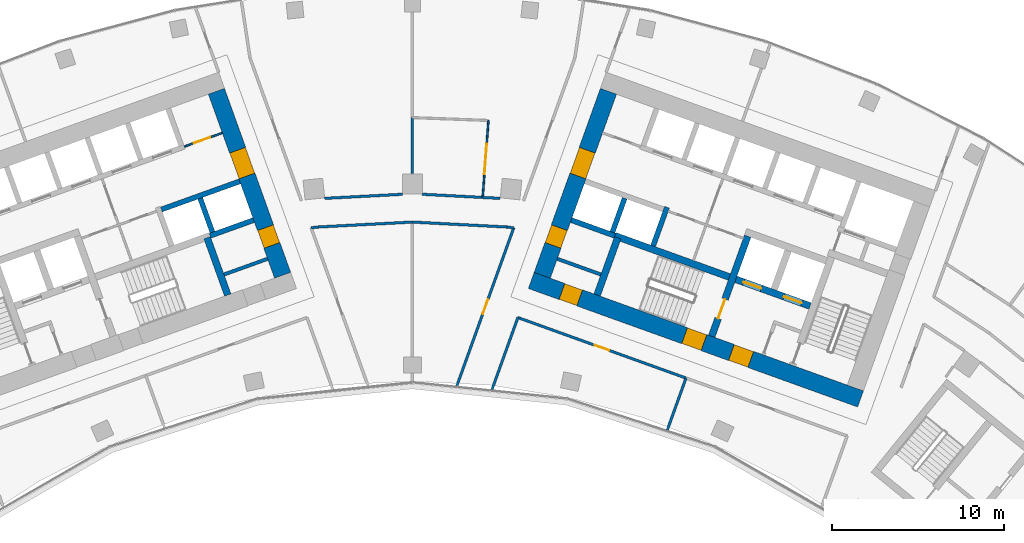
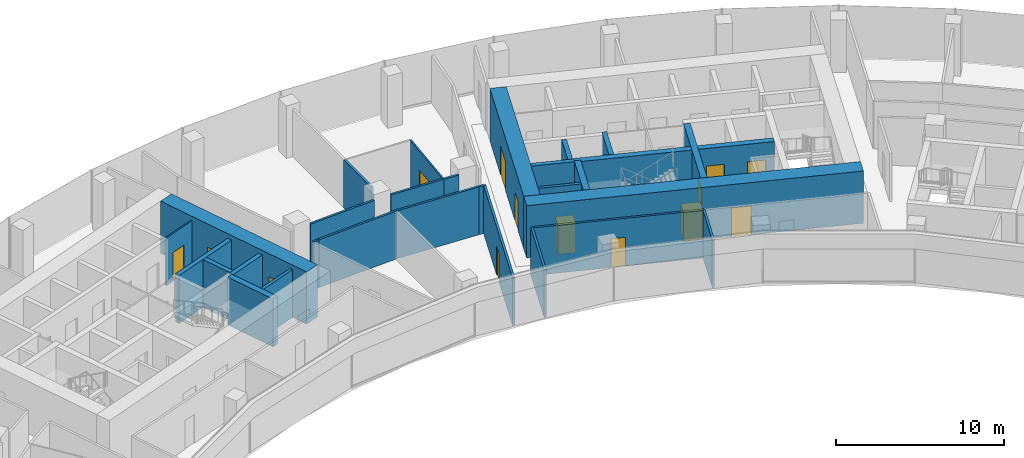
# One storey, part 14 of 20: 29 walls, 14 doors, 14 openings.
"""IFC4 building model written with IfcOpenShell, lengths in metres."""

from ifc_helpers import new_model, si_unit, direction, frame, frame_2d, origin, place, context, subcontext, project, spatial, rectangle, extrude, material, layer, layer_set, type_object, element, fill, save


model = new_model("IFC4")

# Units and contexts
model_context = context("Model", 3, precision=1e-05, world=origin(), true_north=direction((0.0, 1.0)))
body_context = subcontext(model_context, "Body", "Model", "MODEL_VIEW")
ifc_project = project(units=[si_unit("LENGTHUNIT", "METRE"), si_unit("AREAUNIT", "SQUARE_METRE"), si_unit("VOLUMEUNIT", "CUBIC_METRE"), si_unit("PLANEANGLEUNIT", "RADIAN"), si_unit("MASSUNIT", "GRAM", prefix="KILO")], contexts=[model_context])

# Site, building, storey
site_placement = place(None, origin())
site = spatial("IfcSite", under=ifc_project, at=site_placement, CompositionType="ELEMENT")
building_placement = place(site_placement, origin())
building = spatial("IfcBuilding", under=site, at=building_placement, Name="Stone Belt Terrace Tower", CompositionType="ELEMENT")
storey_placement = place(building_placement, frame((0.0, 0.0, 216.199951171875)))
storey = spatial("IfcBuildingStorey", under=building, at=storey_placement, Name="L52", CompositionType="ELEMENT", Elevation=216.199951171875)

# Wall, opening, door
ifc_material_1 = material(Name="Plasterboard partition")
ifc_layer_1 = layer(ifc_material_1, 0.10009765625)
ifc_layer_set_1 = layer_set([ifc_layer_1], Name="Core partition 100")
wall_type_1 = type_object("IfcWallType", Name="Core partition 100", PredefinedType="PARTITIONING", material=ifc_layer_set_1)
wall_1_placement = place(storey_placement, frame((-13.29638671875, 57.17529296875, 0.0), z_axis=(0.0, 0.0, 1.0), x_axis=(0.940904627055, 0.338671644496, 0.0)))
wall_1 = element("IfcWall", 1, at=wall_1_placement, inside=storey, type_object=wall_type_1, Name="Core A wall", PredefinedType="PARTITIONING", context=body_context, shape_type="SweptSolid", body=[
    extrude(rectangle(XDim=2.35009765625, YDim=0.10009765625, at=frame_2d((1.175048828125, 0.0))), origin(), (0.0, 0.0, 1.0), 3.47998046875),
])
opening_1_placement = place(wall_1_placement, frame((0.60009765625, 0.0, 0.0)))
opening_1 = element("IfcOpeningElement", 2, at=opening_1_placement, cuts=wall_1, Name="Opening L52-C01", PredefinedType="OPENING", context=body_context, shape_type="SweptSolid", body=[
    extrude(rectangle(XDim=1.0, YDim=2.10009765625, at=frame_2d((0.5, 1.050048828125))), frame((0.0, 0.06005859375, 0.0), z_axis=(0.0, -1.0, 0.0), x_axis=(1.0, 0.0, 0.0)), (0.0, 0.0, 1.0), 0.1201171875),
])
ifc_material_2 = material(Name="Timber door leaf", Category="wood")
door_type_1 = type_object("IfcDoorType", Name="Core room door 1000", OperationType="SINGLE_SWING_LEFT", PredefinedType="DOOR", material=ifc_material_2)
door_1_placement = place(opening_1_placement, origin())
door_1 = element("IfcDoor", 3, at=door_1_placement, inside=storey, type_object=door_type_1, Name="Door to Telecommunications room core A", OperationType="SINGLE_SWING_RIGHT", OverallHeight=2.10009765625, OverallWidth=1.0, PredefinedType="DOOR", context=body_context, shape_type="SweptSolid", body=[
    extrude(rectangle(XDim=1.0, YDim=2.10009765625, at=frame_2d((0.5, 1.050048828125))), frame((0.0, 0.02490234375, 0.0), z_axis=(0.0, -1.0, 0.0), x_axis=(1.0, 0.0, 0.0)), (0.0, 0.0, 1.0), 0.050048828125),
])
fill(opening_1, door_1)

# Wall, openings, doors
ifc_material_3 = material(Name="Concrete B60", Category="concrete")
ifc_layer_2 = layer(ifc_material_3, 1.0)
ifc_layer_set_2 = layer_set([ifc_layer_2], Name="Core wall 1000 B60")
wall_type_2 = type_object("IfcWallType", Name="Core wall 1000 B60", PredefinedType="SHEAR", material=ifc_layer_set_2)
wall_2_placement = place(storey_placement, frame((-7.567138671875, 49.672119140625, 0.0), z_axis=(0.0, 0.0, 1.0), x_axis=(-0.338625431531, 0.940921259788, 0.0)))
wall_2 = element("IfcWall", 4, at=wall_2_placement, inside=storey, type_object=wall_type_2, Name="Core A wall end_b L52", PredefinedType="SHEAR", context=body_context, shape_type="SweptSolid", body=[
    extrude(rectangle(XDim=11.400146484375, YDim=1.0, at=frame_2d((5.7001953125, 0.0))), origin(), (0.0, 0.0, 1.0), 3.800048828125),
])
opening_2_placement = place(wall_2_placement, frame((6.14990234375, 0.0, 0.0)))
opening_2 = element("IfcOpeningElement", 5, at=opening_2_placement, cuts=wall_2, Name="Opening L52-C07", PredefinedType="OPENING", context=body_context, shape_type="SweptSolid", body=[
    extrude(rectangle(XDim=1.60009765625, YDim=2.10009765625, at=frame_2d((0.800048828125, 1.050048828125))), frame((0.0, 0.510009765625, 0.0), z_axis=(0.0, -1.0, 0.0), x_axis=(1.0, 0.0, 0.0)), (0.0, 0.0, 1.0), 1.02001953125),
])
opening_3_placement = place(wall_2_placement, frame((1.85009765625, 0.0, 0.0)))
opening_3 = element("IfcOpeningElement", 6, at=opening_3_placement, cuts=wall_2, Name="Opening L52-C13", PredefinedType="OPENING", context=body_context, shape_type="SweptSolid", body=[
    extrude(rectangle(XDim=1.10009765625, YDim=2.10009765625, at=frame_2d((0.550048828125, 1.050048828125))), frame((0.0, 0.510009765625, 0.0), z_axis=(0.0, -1.0, 0.0), x_axis=(1.0, 0.0, 0.0)), (0.0, 0.0, 1.0), 1.02001953125),
])
door_type_2 = type_object("IfcDoorType", Name="Core room door 1100", OperationType="SINGLE_SWING_LEFT", PredefinedType="DOOR", material=ifc_material_2)
door_2_placement = place(opening_3_placement, origin())
door_2 = element("IfcDoor", 7, at=door_2_placement, inside=storey, type_object=door_type_2, Name="Door to Accessible WC core A", OperationType="SINGLE_SWING_LEFT", OverallHeight=2.10009765625, OverallWidth=1.10009765625, PredefinedType="DOOR", context=body_context, shape_type="SweptSolid", body=[
    extrude(rectangle(XDim=1.10009765625, YDim=2.10009765625, at=frame_2d((0.550048828125, 1.050048828125))), frame((0.0, 0.47998046875, 0.0), z_axis=(0.0, -1.0, 0.0), x_axis=(1.0, 0.0, 0.0)), (0.0, 0.0, 1.0), 0.9599609375),
])
fill(opening_3, door_2)
ifc_material_4 = material(Name="Glazed aluminium door leaf", Category="aluminium")
door_type_3 = type_object("IfcDoorType", Name="Lift lobby entrance door 1600", OperationType="DOUBLE_DOOR_SINGLE_SWING", PredefinedType="DOOR", material=ifc_material_4)
door_3_placement = place(opening_2_placement, origin())
door_3 = element("IfcDoor", 8, at=door_3_placement, inside=storey, type_object=door_type_3, Name="Lift lobby entrance door core A", OperationType="DOUBLE_DOOR_SINGLE_SWING", OverallHeight=2.10009765625, OverallWidth=1.60009765625, PredefinedType="DOOR", context=body_context, shape_type="SweptSolid", body=[
    extrude(rectangle(XDim=1.60009765625, YDim=2.10009765625, at=frame_2d((0.800048828125, 1.050048828125))), frame((0.0, 0.47998046875, 0.0), z_axis=(0.0, -1.0, 0.0), x_axis=(1.0, 0.0, 0.0)), (0.0, 0.0, 1.0), 0.9599609375),
])
fill(opening_2, door_3)

wall_3_placement = place(storey_placement, frame((6.927490234375, 49.370849609375, 0.0), z_axis=(0.0, 0.0, 1.0), x_axis=(0.940921428504, -0.338624962727, 0.0)))
wall_3 = element("IfcWall", 9, at=wall_3_placement, inside=storey, type_object=wall_type_2, Name="Core B wall concave L52", PredefinedType="SHEAR", context=body_context, shape_type="SweptSolid", body=[
    extrude(rectangle(XDim=20.400146484375, YDim=1.0, at=frame_2d((10.2001953125, 0.0))), origin(), (0.0, 0.0, 1.0), 3.800048828125),
])
opening_4_placement = place(wall_3_placement, frame((12.39990234375, 0.0, 0.0)))
opening_4 = element("IfcOpeningElement", 10, at=opening_4_placement, cuts=wall_3, Name="Opening L52-C24", PredefinedType="OPENING", context=body_context, shape_type="SweptSolid", body=[
    extrude(rectangle(XDim=1.199951171875, YDim=2.10009765625, at=frame_2d((0.60009765625, 1.050048828125))), frame((0.0, 0.510009765625, 0.0), z_axis=(0.0, -1.0, 0.0), x_axis=(1.0, 0.0, 0.0)), (0.0, 0.0, 1.0), 1.02001953125),
])
opening_5_placement = place(wall_3_placement, frame((9.5, 0.0, 0.0)))
opening_5 = element("IfcOpeningElement", 11, at=opening_5_placement, cuts=wall_3, Name="Opening L52-C26", PredefinedType="OPENING", context=body_context, shape_type="SweptSolid", body=[
    extrude(rectangle(XDim=1.199951171875, YDim=2.10009765625, at=frame_2d((0.60009765625, 1.050048828125))), frame((0.0, 0.510009765625, 0.0), z_axis=(0.0, -1.0, 0.0), x_axis=(1.0, 0.0, 0.0)), (0.0, 0.0, 1.0), 1.02001953125),
])
opening_6_placement = place(wall_3_placement, frame((1.89990234375, 0.0, 0.0)))
opening_6 = element("IfcOpeningElement", 12, at=opening_6_placement, cuts=wall_3, Name="Opening L52-C28", PredefinedType="OPENING", context=body_context, shape_type="SweptSolid", body=[
    extrude(rectangle(XDim=1.10009765625, YDim=2.10009765625, at=frame_2d((0.550048828125, 1.050048828125))), frame((0.0, 0.510009765625, 0.0), z_axis=(0.0, -1.0, 0.0), x_axis=(1.0, 0.0, 0.0)), (0.0, 0.0, 1.0), 1.02001953125),
])
door_4_placement = place(opening_6_placement, origin())
door_4 = element("IfcDoor", 13, at=door_4_placement, inside=storey, type_object=door_type_2, Name="Door to Pipe riser core B", OperationType="SINGLE_SWING_LEFT", OverallHeight=2.10009765625, OverallWidth=1.10009765625, PredefinedType="DOOR", context=body_context, shape_type="SweptSolid", body=[
    extrude(rectangle(XDim=1.10009765625, YDim=2.10009765625, at=frame_2d((0.550048828125, 1.050048828125))), frame((0.0, 0.47998046875, 0.0), z_axis=(0.0, -1.0, 0.0), x_axis=(1.0, 0.0, 0.0)), (0.0, 0.0, 1.0), 0.9599609375),
])
fill(opening_6, door_4)
ifc_material_5 = material(Name="Steel door leaf", Category="steel")
door_type_4 = type_object("IfcDoorType", Name="Fire-fighting lobby door 1200", OperationType="SINGLE_SWING_LEFT", PredefinedType="DOOR", material=ifc_material_5)
door_5_placement = place(opening_4_placement, origin())
door_5 = element("IfcDoor", 14, at=door_5_placement, inside=storey, type_object=door_type_4, Name="Fire-fighting lobby door core B", OperationType="SINGLE_SWING_LEFT", OverallHeight=2.10009765625, OverallWidth=1.199951171875, PredefinedType="DOOR", context=body_context, shape_type="SweptSolid", body=[
    extrude(rectangle(XDim=1.199951171875, YDim=2.10009765625, at=frame_2d((0.60009765625, 1.050048828125))), frame((0.0, 0.47998046875, 0.0), z_axis=(0.0, -1.0, 0.0), x_axis=(1.0, 0.0, 0.0)), (0.0, 0.0, 1.0), 0.9599609375),
])
fill(opening_4, door_5)
door_type_5 = type_object("IfcDoorType", Name="Stair door 1200", OperationType="SINGLE_SWING_LEFT", PredefinedType="DOOR", material=ifc_material_5)
door_6_placement = place(opening_5_placement, origin())
door_6 = element("IfcDoor", 15, at=door_6_placement, inside=storey, type_object=door_type_5, Name="Stair 2 exit door core B", OperationType="SINGLE_SWING_RIGHT", OverallHeight=2.10009765625, OverallWidth=1.199951171875, PredefinedType="DOOR", context=body_context, shape_type="SweptSolid", body=[
    extrude(rectangle(XDim=1.199951171875, YDim=2.10009765625, at=frame_2d((0.60009765625, 1.050048828125))), frame((0.0, 0.47998046875, 0.0), z_axis=(0.0, -1.0, 0.0), x_axis=(1.0, 0.0, 0.0)), (0.0, 0.0, 1.0), 0.9599609375),
])
fill(opening_5, door_6)

wall_4_placement = place(storey_placement, frame((7.567138671875, 49.672119140625, 0.0), z_axis=(0.0, 0.0, 1.0), x_axis=(0.338625431531, 0.940921259788, 0.0)))
wall_4 = element("IfcWall", 16, at=wall_4_placement, inside=storey, type_object=wall_type_2, Name="Core B wall end_a L52", PredefinedType="SHEAR", context=body_context, shape_type="SweptSolid", body=[
    extrude(rectangle(XDim=11.400146484375, YDim=1.0, at=frame_2d((5.7001953125, 0.0))), origin(), (0.0, 0.0, 1.0), 3.800048828125),
])
opening_7_placement = place(wall_4_placement, frame((6.14990234375, 0.0, 0.0)))
opening_7 = element("IfcOpeningElement", 17, at=opening_7_placement, cuts=wall_4, Name="Opening L52-C21", PredefinedType="OPENING", context=body_context, shape_type="SweptSolid", body=[
    extrude(rectangle(XDim=1.60009765625, YDim=2.10009765625, at=frame_2d((0.800048828125, 1.050048828125))), frame((0.0, 0.510009765625, 0.0), z_axis=(0.0, -1.0, 0.0), x_axis=(1.0, 0.0, 0.0)), (0.0, 0.0, 1.0), 1.02001953125),
])
opening_8_placement = place(wall_4_placement, frame((1.85009765625, 0.0, 0.0)))
opening_8 = element("IfcOpeningElement", 18, at=opening_8_placement, cuts=wall_4, Name="Opening L52-C27", PredefinedType="OPENING", context=body_context, shape_type="SweptSolid", body=[
    extrude(rectangle(XDim=1.10009765625, YDim=2.10009765625, at=frame_2d((0.550048828125, 1.050048828125))), frame((0.0, 0.510009765625, 0.0), z_axis=(0.0, -1.0, 0.0), x_axis=(1.0, 0.0, 0.0)), (0.0, 0.0, 1.0), 1.02001953125),
])
door_7_placement = place(opening_8_placement, origin())
door_7 = element("IfcDoor", 19, at=door_7_placement, inside=storey, type_object=door_type_2, Name="Door to Accessible WC core B", OperationType="SINGLE_SWING_RIGHT", OverallHeight=2.10009765625, OverallWidth=1.10009765625, PredefinedType="DOOR", context=body_context, shape_type="SweptSolid", body=[
    extrude(rectangle(XDim=1.10009765625, YDim=2.10009765625, at=frame_2d((0.550048828125, 1.050048828125))), frame((0.0, 0.47998046875, 0.0), z_axis=(0.0, -1.0, 0.0), x_axis=(1.0, 0.0, 0.0)), (0.0, 0.0, 1.0), 0.9599609375),
])
fill(opening_8, door_7)
door_8_placement = place(opening_7_placement, origin())
door_8 = element("IfcDoor", 20, at=door_8_placement, inside=storey, type_object=door_type_3, Name="Lift lobby entrance door core B", OperationType="DOUBLE_DOOR_SINGLE_SWING", OverallHeight=2.10009765625, OverallWidth=1.60009765625, PredefinedType="DOOR", context=body_context, shape_type="SweptSolid", body=[
    extrude(rectangle(XDim=1.60009765625, YDim=2.10009765625, at=frame_2d((0.800048828125, 1.050048828125))), frame((0.0, 0.47998046875, 0.0), z_axis=(0.0, -1.0, 0.0), x_axis=(1.0, 0.0, 0.0)), (0.0, 0.0, 1.0), 0.9599609375),
])
fill(opening_7, door_8)

# Walls
ifc_material_6 = material(Name="Concrete B80", Category="concrete")
ifc_layer_3 = layer(ifc_material_6, 0.300048828125)
ifc_layer_set_3 = layer_set([ifc_layer_3], Name="Lift shaft wall 300")
wall_type_3 = type_object("IfcWallType", Name="Lift shaft wall 300", PredefinedType="SHEAR", material=ifc_layer_set_3)
wall_5_placement = place(storey_placement, frame((-14.6328125, 53.506103515625, 0.0), z_axis=(0.0, 0.0, 1.0), x_axis=(0.940931684323, 0.338596464007, 0.0)))
element("IfcWall", 21, at=wall_5_placement, inside=storey, type_object=wall_type_3, Name="Core A wall", PredefinedType="SHEAR", context=body_context, shape_type="SweptSolid", body=[
    extrude(rectangle(XDim=4.849609375, YDim=0.300048828125, at=frame_2d((2.4248046875, 0.0))), origin(), (0.0, 0.0, 1.0), 3.47998046875),
])
wall_6_placement = place(storey_placement, frame((-11.797119140625, 51.975830078125, 0.0), z_axis=(0.0, 0.0, 1.0), x_axis=(0.940910465161, 0.33865542451, 0.0)))
element("IfcWall", 22, at=wall_6_placement, inside=storey, type_object=wall_type_3, Name="Core A wall", PredefinedType="SHEAR", context=body_context, shape_type="SweptSolid", body=[
    extrude(rectangle(XDim=2.69970703125, YDim=0.300048828125, at=frame_2d((1.349853515625, 0.0))), origin(), (0.0, 0.0, 1.0), 3.47998046875),
])
wall_7_placement = place(storey_placement, frame((-11.659912109375, 52.184814453125, 0.0), z_axis=(0.0, 0.0, 1.0), x_axis=(-0.338670064856, 0.940905195634, 0.0)))
element("IfcWall", 23, at=wall_7_placement, inside=storey, type_object=wall_type_3, Name="Core A wall", PredefinedType="SHEAR", context=body_context, shape_type="SweptSolid", body=[
    extrude(rectangle(XDim=2.099853515625, YDim=0.300048828125, at=frame_2d((1.0498046875, 0.0))), origin(), (0.0, 0.0, 1.0), 3.47998046875),
])
wall_8_placement = place(storey_placement, frame((14.029052734375, 51.38525390625, 0.0), z_axis=(0.0, 0.0, 1.0), x_axis=(0.338661829791, 0.940908159728, 0.0)))
element("IfcWall", 24, at=wall_8_placement, inside=storey, type_object=wall_type_3, Name="Core B wall", PredefinedType="SHEAR", context=body_context, shape_type="SweptSolid", body=[
    extrude(rectangle(XDim=2.39990234375, YDim=0.300048828125, at=frame_2d((1.199951171875, 0.0))), origin(), (0.0, 0.0, 1.0), 3.47998046875),
])
wall_9_placement = place(storey_placement, frame((11.797119140625, 51.975830078125, 0.0), z_axis=(0.0, 0.0, 1.0), x_axis=(-0.940910465161, 0.33865542451, 0.0)))
element("IfcWall", 25, at=wall_9_placement, inside=storey, type_object=wall_type_3, Name="Core B wall", PredefinedType="SHEAR", context=body_context, shape_type="SweptSolid", body=[
    extrude(rectangle(XDim=2.69970703125, YDim=0.300048828125, at=frame_2d((1.349853515625, 0.0))), origin(), (0.0, 0.0, 1.0), 3.47998046875),
])
wall_10_placement = place(storey_placement, frame((11.659912109375, 52.184814453125, 0.0), z_axis=(0.0, 0.0, 1.0), x_axis=(0.338670064856, 0.940905195634, 0.0)))
element("IfcWall", 26, at=wall_10_placement, inside=storey, type_object=wall_type_3, Name="Core B wall", PredefinedType="SHEAR", context=body_context, shape_type="SweptSolid", body=[
    extrude(rectangle(XDim=2.099853515625, YDim=0.300048828125, at=frame_2d((1.0498046875, 0.0))), origin(), (0.0, 0.0, 1.0), 3.47998046875),
])

# Wall, opening, door
ifc_material_7 = material(Name="Gypsum board partition")
ifc_layer_4 = layer(ifc_material_7, 0.10009765625)
ifc_layer_set_4 = layer_set([ifc_layer_4], Name="PARTITION 100")
wall_type_4 = type_object("IfcWallType", Name="PARTITION 100", PredefinedType="PARTITIONING", material=ifc_layer_set_4)
wall_11_placement = place(storey_placement, frame((4.093994140625, 54.2109375, 0.0), z_axis=(0.0, 0.0, 1.0), x_axis=(0.075090731836, 0.9971767055, 0.0)))
wall_11 = element("IfcWall", 27, at=wall_11_placement, inside=storey, type_object=wall_type_4, Name="L52/wall/i081", PredefinedType="PARTITIONING", context=body_context, shape_type="SweptSolid", body=[
    extrude(rectangle(XDim=4.499755859375, YDim=0.10009765625, at=frame_2d((2.25, 0.0))), origin(), (0.0, 0.0, 1.0), 3.47998046875),
])
opening_9_placement = place(wall_11_placement, frame((1.349853515625, 0.0, 0.0)))
opening_9 = element("IfcOpeningElement", 28, at=opening_9_placement, cuts=wall_11, Name="Opening D-D3-27", PredefinedType="OPENING", context=body_context, shape_type="SweptSolid", body=[
    extrude(rectangle(XDim=1.800048828125, YDim=2.10009765625, at=frame_2d((0.89990234375, 1.050048828125))), frame((0.0, 0.06005859375, 0.0), z_axis=(0.0, -1.0, 0.0), x_axis=(1.0, 0.0, 0.0)), (0.0, 0.0, 1.0), 0.1201171875),
])
door_type_6 = type_object("IfcDoorType", Name="DOUBLE DOOR 1800 X 2100", OperationType="DOUBLE_DOOR_SINGLE_SWING", PredefinedType="DOOR", material=ifc_material_2)
door_9_placement = place(opening_9_placement, origin())
door_9 = element("IfcDoor", 29, at=door_9_placement, inside=storey, type_object=door_type_6, Name="L52/door/i27", OperationType="DOUBLE_DOOR_SINGLE_SWING", OverallHeight=2.10009765625, OverallWidth=1.800048828125, PredefinedType="DOOR", context=body_context, shape_type="SweptSolid", body=[
    extrude(rectangle(XDim=1.800048828125, YDim=2.10009765625, at=frame_2d((0.89990234375, 1.050048828125))), frame((0.0, 0.02490234375, 0.0), z_axis=(0.0, -1.0, 0.0), x_axis=(1.0, 0.0, 0.0)), (0.0, 0.0, 1.0), 0.050048828125),
])
fill(opening_9, door_9)

# Wall
ifc_layer_5 = layer(ifc_material_7, 0.14990234375)
ifc_layer_set_5 = layer_set([ifc_layer_5], Name="PARTITION 150 EI 60")
wall_type_5 = type_object("IfcWallType", Name="PARTITION 150 EI 60", PredefinedType="PARTITIONING", material=ifc_layer_set_5)
wall_12_placement = place(storey_placement, frame((6.14990234375, 47.212890625, 0.0), z_axis=(0.0, 0.0, 1.0), x_axis=(-0.338583902482, -0.940936204522, 0.0)))
element("IfcWall", 30, at=wall_12_placement, inside=storey, type_object=wall_type_5, Name="L52/wall/i016", PredefinedType="PARTITIONING", context=body_context, shape_type="SweptSolid", body=[
    extrude(rectangle(XDim=4.464111328125, YDim=0.14990234375, at=frame_2d((2.23193359375, 0.0))), origin(), (0.0, 0.0, 1.0), 3.47998046875),
])

# Wall, opening, door
wall_13_placement = place(storey_placement, frame((2.590087890625, 43.227783203125, 0.0), z_axis=(0.0, 0.0, 1.0), x_axis=(0.33864618549, 0.940913790447, 0.0)))
wall_13 = element("IfcWall", 31, at=wall_13_placement, inside=storey, type_object=wall_type_5, Name="L52/wall/i018", PredefinedType="PARTITIONING", context=body_context, shape_type="SweptSolid", body=[
    extrude(rectangle(XDim=9.791748046875, YDim=0.14990234375, at=frame_2d((4.89599609375, 0.0))), origin(), (0.0, 0.0, 1.0), 3.47998046875),
])
opening_10_placement = place(wall_13_placement, frame((4.44580078125, 0.0, 0.0)))
opening_10 = element("IfcOpeningElement", 32, at=opening_10_placement, cuts=wall_13, Name="Opening D-D3-24", PredefinedType="OPENING", context=body_context, shape_type="SweptSolid", body=[
    extrude(rectangle(XDim=0.89990234375, YDim=2.10009765625, at=frame_2d((0.449951171875, 1.050048828125))), frame((0.0, 0.0849609375, 0.0), z_axis=(0.0, -1.0, 0.0), x_axis=(1.0, 0.0, 0.0)), (0.0, 0.0, 1.0), 0.169921875),
])
door_type_7 = type_object("IfcDoorType", Name="OFFICE DOOR 900 X 2100", OperationType="NOTDEFINED", PredefinedType="DOOR", material=ifc_material_2)
door_10_placement = place(opening_10_placement, origin())
door_10 = element("IfcDoor", 33, at=door_10_placement, inside=storey, type_object=door_type_7, Name="L52/door/i24", OperationType="SINGLE_SWING_RIGHT", OverallHeight=2.10009765625, OverallWidth=0.89990234375, PredefinedType="DOOR", context=body_context, shape_type="SweptSolid", body=[
    extrude(rectangle(XDim=0.89990234375, YDim=2.10009765625, at=frame_2d((0.449951171875, 1.050048828125))), frame((0.0, 0.02490234375, 0.0), z_axis=(0.0, -1.0, 0.0), x_axis=(1.0, 0.0, 0.0)), (0.0, 0.0, 1.0), 0.050048828125),
])
fill(opening_10, door_10)

wall_14_placement = place(storey_placement, frame((15.955078125, 43.677978515625, 0.0), z_axis=(0.0, 0.0, 1.0), x_axis=(-0.940922943648, 0.338620752637, 0.0)))
wall_14 = element("IfcWall", 34, at=wall_14_placement, inside=storey, type_object=wall_type_5, Name="L52/wall/i027", PredefinedType="PARTITIONING", context=body_context, shape_type="SweptSolid", body=[
    extrude(rectangle(XDim=10.421875, YDim=0.14990234375, at=frame_2d((5.2109375, 0.0))), origin(), (0.0, 0.0, 1.0), 3.47998046875),
])
opening_11_placement = place(wall_14_placement, frame((4.7607421875, 0.0, 0.0)))
opening_11 = element("IfcOpeningElement", 35, at=opening_11_placement, cuts=wall_14, Name="Opening D-D3-05", PredefinedType="OPENING", context=body_context, shape_type="SweptSolid", body=[
    extrude(rectangle(XDim=0.89990234375, YDim=2.10009765625, at=frame_2d((0.449951171875, 1.050048828125))), frame((0.0, 0.0849609375, 0.0), z_axis=(0.0, -1.0, 0.0), x_axis=(1.0, 0.0, 0.0)), (0.0, 0.0, 1.0), 0.169921875),
])
door_11_placement = place(opening_11_placement, origin())
door_11 = element("IfcDoor", 36, at=door_11_placement, inside=storey, type_object=door_type_7, Name="L52/door/i05", OperationType="SINGLE_SWING_RIGHT", OverallHeight=2.10009765625, OverallWidth=0.89990234375, PredefinedType="DOOR", context=body_context, shape_type="SweptSolid", body=[
    extrude(rectangle(XDim=0.89990234375, YDim=2.10009765625, at=frame_2d((0.449951171875, 1.050048828125))), frame((0.0, 0.02490234375, 0.0), z_axis=(0.0, -1.0, 0.0), x_axis=(1.0, 0.0, 0.0)), (0.0, 0.0, 1.0), 0.050048828125),
])
fill(opening_11, door_11)

# Walls
wall_15_placement = place(storey_placement, frame((15.948974609375, 43.679931640625, 0.0), z_axis=(0.0, 0.0, 1.0), x_axis=(-0.338792175686, -0.940861234027, 0.0)))
element("IfcWall", 37, at=wall_15_placement, inside=storey, type_object=wall_type_5, Name="L52/wall/i029", PredefinedType="PARTITIONING", context=body_context, shape_type="SweptSolid", body=[
    extrude(rectangle(XDim=3.21044921875, YDim=0.14990234375, at=frame_2d((1.605224609375, 0.0))), origin(), (0.0, 0.0, 1.0), 3.47998046875),
])
wall_16_placement = place(storey_placement, frame((0.0, 52.77490234375, 0.0), z_axis=(0.0, 0.0, 1.0), x_axis=(-0.998632077757, -0.052287410285, 0.0)))
element("IfcWall", 38, at=wall_16_placement, inside=storey, type_object=wall_type_5, Name="L52/wall/i069", PredefinedType="PARTITIONING", context=body_context, shape_type="SweptSolid", body=[
    extrude(rectangle(XDim=5.523681640625, YDim=0.14990234375, at=frame_2d((2.76171875, 0.0))), origin(), (0.0, 0.0, 1.0), 3.47998046875),
])
for number, where, z_axis, x_axis, name in (
    (39, (-5.51611328125, 52.486083984375, 0.0), (0.0, 0.0, 1.0), (-0.991780421826, -0.127951533338, 0.0), "L52/wall/i070"),
    (40, (5.904052734375, 52.43603515625, 0.0), (0.0, 0.0, 1.0), (-0.991780421826, 0.127951533338, 0.0), "L52/wall/i071"),
):
    element("IfcWall", number, at=place(storey_placement, frame(where, z_axis=z_axis, x_axis=x_axis)), inside=storey, type_object=wall_type_5, Name=name, PredefinedType="PARTITIONING", context=body_context, shape_type="SweptSolid", body=[
        extrude(rectangle(XDim=0.39111328125, YDim=0.14990234375, at=frame_2d((0.195556640625, 0.0))), origin(), (0.0, 0.0, 1.0), 3.47998046875),
    ])
wall_17_placement = place(storey_placement, frame((5.51611328125, 52.486083984375, 0.0), z_axis=(0.0, 0.0, 1.0), x_axis=(-0.998632077757, 0.052287410285, 0.0)))
element("IfcWall", 41, at=wall_17_placement, inside=storey, type_object=wall_type_5, Name="L52/wall/i072", PredefinedType="PARTITIONING", context=body_context, shape_type="SweptSolid", body=[
    extrude(rectangle(XDim=5.523681640625, YDim=0.14990234375, at=frame_2d((2.76171875, 0.0))), origin(), (0.0, 0.0, 1.0), 3.47998046875),
])
wall_18_placement = place(storey_placement, frame((-5.114013671875, 54.1572265625, 0.0), z_axis=(0.0, 0.0, 1.0), x_axis=(0.998631882583, 0.052291137769, 0.0)))
element("IfcWall", 42, at=wall_18_placement, inside=storey, type_object=wall_type_5, Name="L52/wall/i073", PredefinedType="PARTITIONING", context=body_context, shape_type="SweptSolid", body=[
    extrude(rectangle(XDim=4.54736328125, YDim=0.14990234375, at=frame_2d((2.273681640625, 0.0))), origin(), (0.0, 0.0, 1.0), 3.47998046875),
])
wall_19_placement = place(storey_placement, frame((4.087890625, 54.2109375, 0.0), z_axis=(0.0, 0.0, 1.0), x_axis=(0.998631584931, -0.052296821872, 0.0)))
element("IfcWall", 43, at=wall_19_placement, inside=storey, type_object=wall_type_5, Name="L52/wall/i074", PredefinedType="PARTITIONING", context=body_context, shape_type="SweptSolid", body=[
    extrude(rectangle(XDim=1.027099609375, YDim=0.14990234375, at=frame_2d((0.513671875, 0.0))), origin(), (0.0, 0.0, 1.0), 3.47998046875),
])
wall_20_placement = place(storey_placement, frame((0.572021484375, 54.39501953125, 0.0), z_axis=(0.0, 0.0, 1.0), x_axis=(0.998627167423, -0.052381108083, 0.0)))
element("IfcWall", 44, at=wall_20_placement, inside=storey, type_object=wall_type_5, Name="L52/wall/i075", PredefinedType="PARTITIONING", context=body_context, shape_type="SweptSolid", body=[
    extrude(rectangle(XDim=3.532958984375, YDim=0.14990234375, at=frame_2d((1.7666015625, 0.0))), origin(), (0.0, 0.0, 1.0), 3.47998046875),
])
wall_21_placement = place(storey_placement, frame((0.0, 58.87109375, 0.0), z_axis=(0.0, 0.0, 1.0), x_axis=(0.0, -1.0, 0.0)))
element("IfcWall", 45, at=wall_21_placement, inside=storey, type_object=wall_type_5, Name="L52/wall/i080", PredefinedType="PARTITIONING", context=body_context, shape_type="SweptSolid", body=[
    extrude(rectangle(XDim=3.26611328125, YDim=0.14990234375, at=frame_2d((1.633056640625, 0.0))), origin(), (0.0, 0.0, 1.0), 3.47998046875),
])
ifc_material_8 = material(Name="Concrete masonry block", Category="masonry")
ifc_layer_6 = layer(ifc_material_8, 0.199951171875)
ifc_layer_set_6 = layer_set([ifc_layer_6], Name="Rated lobby wall 200")
wall_type_6 = type_object("IfcWallType", Name="Rated lobby wall 200", PredefinedType="PARTITIONING", material=ifc_layer_set_6)
for number, where, z_axis, x_axis, name in (
    (46, (-10.984619140625, 49.717529296875, 0.0), (0.0, 0.0, 1.0), (0.940920834877, 0.338626612206, 0.0), "Core A wall"),
    (47, (10.984619140625, 49.717529296875, 0.0), (0.0, 0.0, 1.0), (-0.940920834877, 0.338626612206, 0.0), "Core B wall"),
):
    element("IfcWall", number, at=place(storey_placement, frame(where, z_axis=z_axis, x_axis=x_axis)), inside=storey, type_object=wall_type_6, Name=name, PredefinedType="PARTITIONING", context=body_context, shape_type="SweptSolid", body=[
        extrude(rectangle(XDim=2.699951171875, YDim=0.199951171875, at=frame_2d((1.35009765625, 0.0))), origin(), (0.0, 0.0, 1.0), 3.47998046875),
    ])
ifc_layer_7 = layer(ifc_material_6, 0.39990234375)
ifc_layer_set_7 = layer_set([ifc_layer_7], Name="Stair enclosure wall 400")
wall_type_7 = type_object("IfcWallType", Name="Stair enclosure wall 400", PredefinedType="SHEAR", material=ifc_layer_set_7)
wall_22_placement = place(storey_placement, frame((-10.766357421875, 48.520751953125, 0.0), z_axis=(0.0, 0.0, 1.0), x_axis=(-0.338626928157, 0.94092072117, 0.0)))
element("IfcWall", 48, at=wall_22_placement, inside=storey, type_object=wall_type_7, Name="Core A wall", PredefinedType="SHEAR", context=body_context, shape_type="SweptSolid", body=[
    extrude(rectangle(XDim=3.550048828125, YDim=0.39990234375, at=frame_2d((1.77490234375, 0.0))), origin(), (0.0, 0.0, 1.0), 3.47998046875),
])

# Wall, openings, doors
wall_23_placement = place(storey_placement, frame((23.182373046875, 47.87841796875, 0.0), z_axis=(0.0, 0.0, 1.0), x_axis=(-0.940921101762, 0.338625870628, 0.0)))
wall_23 = element("IfcWall", 49, at=wall_23_placement, inside=storey, type_object=wall_type_7, Name="Core B wall", PredefinedType="SHEAR", context=body_context, shape_type="SweptSolid", body=[
    extrude(rectangle(XDim=12.10009765625, YDim=0.39990234375, at=frame_2d((6.050048828125, 0.0))), origin(), (0.0, 0.0, 1.0), 3.47998046875),
])
opening_12_placement = place(wall_23_placement, frame((0.52001953125, 0.0, 0.0)))
opening_12 = element("IfcOpeningElement", 50, at=opening_12_placement, cuts=wall_23, Name="Opening L52-LD14", PredefinedType="OPENING", context=body_context, shape_type="SweptSolid", body=[
    extrude(rectangle(XDim=1.10009765625, YDim=2.199951171875, at=frame_2d((0.550048828125, 1.10009765625))), frame((0.0, 0.2099609375, 0.0), z_axis=(0.0, -1.0, 0.0), x_axis=(1.0, 0.0, 0.0)), (0.0, 0.0, 1.0), 0.419921875),
])
opening_13_placement = place(wall_23_placement, frame((3.02001953125, 0.0, 0.0)))
opening_13 = element("IfcOpeningElement", 51, at=opening_13_placement, cuts=wall_23, Name="Opening L52-LD15", PredefinedType="OPENING", context=body_context, shape_type="SweptSolid", body=[
    extrude(rectangle(XDim=1.10009765625, YDim=2.199951171875, at=frame_2d((0.550048828125, 1.10009765625))), frame((0.0, 0.2099609375, 0.0), z_axis=(0.0, -1.0, 0.0), x_axis=(1.0, 0.0, 0.0)), (0.0, 0.0, 1.0), 0.419921875),
])
ifc_material_9 = material(Name="Stainless steel door leaf", Category="steel")
door_type_8 = type_object("IfcDoorType", Name="Landing door 1100", OperationType="SLIDING_TO_LEFT", PredefinedType="DOOR", material=ifc_material_9)
door_12_placement = place(opening_12_placement, origin())
door_12 = element("IfcDoor", 52, at=door_12_placement, inside=storey, type_object=door_type_8, Name="Landing door FF1 core B", OperationType="SLIDING_TO_LEFT", OverallHeight=2.199951171875, OverallWidth=1.10009765625, PredefinedType="DOOR", context=body_context, shape_type="SweptSolid", body=[
    extrude(rectangle(XDim=1.10009765625, YDim=2.199951171875, at=frame_2d((0.550048828125, 1.10009765625))), frame((0.0, 0.02490234375, 0.0), z_axis=(0.0, -1.0, 0.0), x_axis=(1.0, 0.0, 0.0)), (0.0, 0.0, 1.0), 0.050048828125),
])
fill(opening_12, door_12)
door_13_placement = place(opening_13_placement, origin())
door_13 = element("IfcDoor", 53, at=door_13_placement, inside=storey, type_object=door_type_8, Name="Landing door FF2 core B", OperationType="SLIDING_TO_LEFT", OverallHeight=2.199951171875, OverallWidth=1.10009765625, PredefinedType="DOOR", context=body_context, shape_type="SweptSolid", body=[
    extrude(rectangle(XDim=1.10009765625, YDim=2.199951171875, at=frame_2d((0.550048828125, 1.10009765625))), frame((0.0, 0.02490234375, 0.0), z_axis=(0.0, -1.0, 0.0), x_axis=(1.0, 0.0, 0.0)), (0.0, 0.0, 1.0), 0.050048828125),
])
fill(opening_13, door_13)

# Wall, opening, door
wall_24_placement = place(storey_placement, frame((17.447021484375, 46.116455078125, 0.0), z_axis=(0.0, 0.0, 1.0), x_axis=(0.33860791464, 0.940927563707, 0.0)))
wall_24 = element("IfcWall", 54, at=wall_24_placement, inside=storey, type_object=wall_type_7, Name="Core B wall", PredefinedType="SHEAR", context=body_context, shape_type="SweptSolid", body=[
    extrude(rectangle(XDim=6.199951171875, YDim=0.39990234375, at=frame_2d((3.10009765625, 0.0))), origin(), (0.0, 0.0, 1.0), 3.47998046875),
])
opening_14_placement = place(wall_24_placement, frame((1.10009765625, 0.0, 0.0)))
opening_14 = element("IfcOpeningElement", 55, at=opening_14_placement, cuts=wall_24, Name="Opening L52-C25", PredefinedType="OPENING", context=body_context, shape_type="SweptSolid", body=[
    extrude(rectangle(XDim=1.199951171875, YDim=2.10009765625, at=frame_2d((0.60009765625, 1.050048828125))), frame((0.0, 0.2099609375, 0.0), z_axis=(0.0, -1.0, 0.0), x_axis=(1.0, 0.0, 0.0)), (0.0, 0.0, 1.0), 0.419921875),
])
door_14_placement = place(opening_14_placement, origin())
door_14 = element("IfcDoor", 56, at=door_14_placement, inside=storey, type_object=door_type_5, Name="Stair 2 door core B", OperationType="SINGLE_SWING_LEFT", OverallHeight=2.10009765625, OverallWidth=1.199951171875, PredefinedType="DOOR", context=body_context, shape_type="SweptSolid", body=[
    extrude(rectangle(XDim=1.199951171875, YDim=2.10009765625, at=frame_2d((0.60009765625, 1.050048828125))), frame((0.0, 0.02490234375, 0.0), z_axis=(0.0, -1.0, 0.0), x_axis=(1.0, 0.0, 0.0)), (0.0, 0.0, 1.0), 0.050048828125),
])
fill(opening_14, door_14)

# Wall
wall_25_placement = place(storey_placement, frame((10.766357421875, 48.520751953125, 0.0), z_axis=(0.0, 0.0, 1.0), x_axis=(0.338626928157, 0.94092072117, 0.0)))
element("IfcWall", 57, at=wall_25_placement, inside=storey, type_object=wall_type_7, Name="Core B wall", PredefinedType="SHEAR", context=body_context, shape_type="SweptSolid", body=[
    extrude(rectangle(XDim=3.550048828125, YDim=0.39990234375, at=frame_2d((1.77490234375, 0.0))), origin(), (0.0, 0.0, 1.0), 3.47998046875),
])

save(model, "model.ifc")
